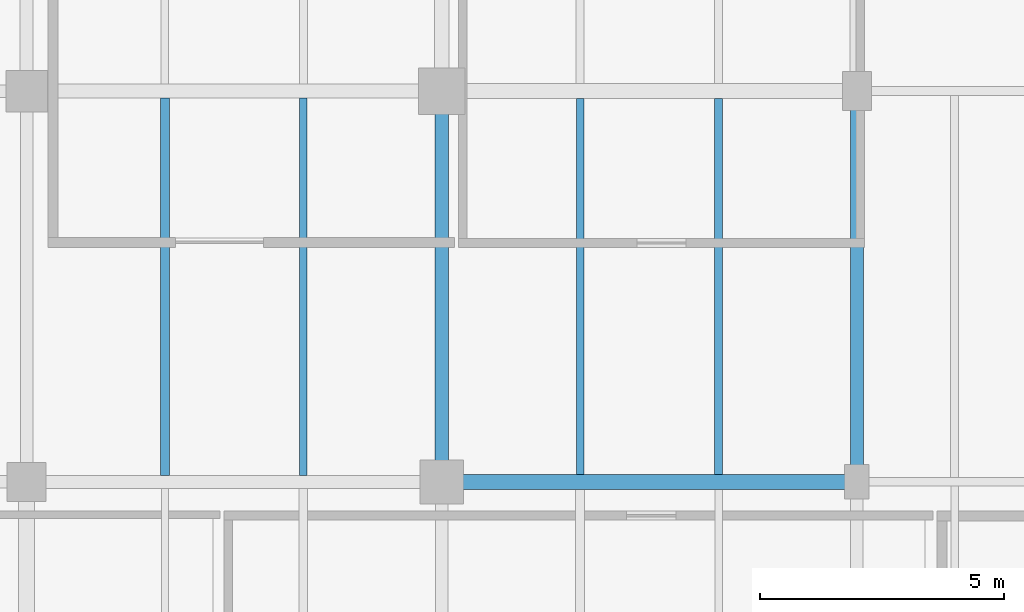
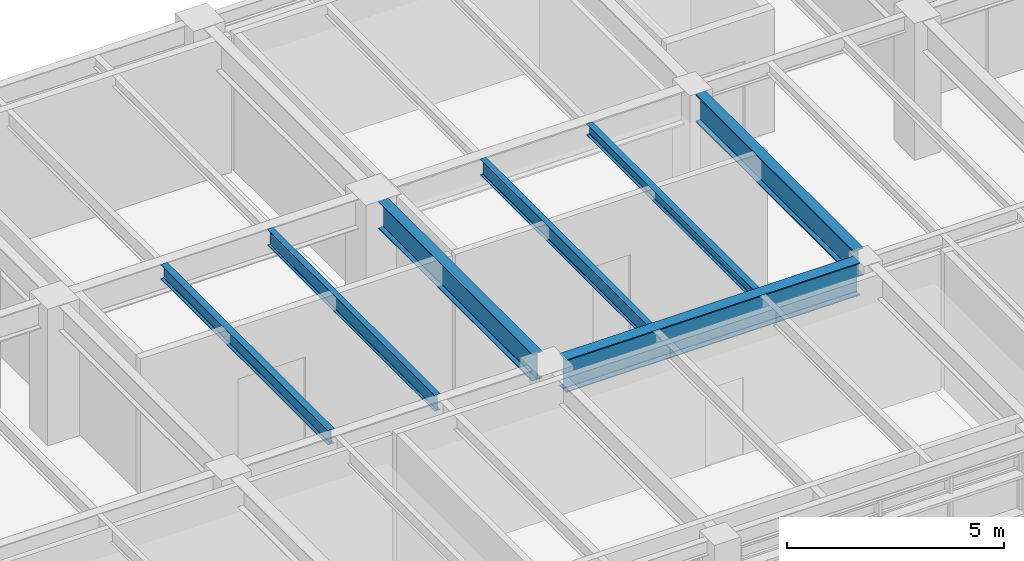
# One storey, part 12 of 26: 7 beams.
"""IFC4 building model written with IfcOpenShell, lengths in metres."""

from ifc_helpers import new_model, si_unit, direction, frame, origin, origin_2d, place, context, subcontext, project, spatial, i_section, extrude, material, material_profile, profile_set, type_object, element, save


model = new_model("IFC4")

# Units and contexts
model_context = context("Model", 3, precision=1e-05, world=origin(), true_north=direction((0.0, 1.0)))
body_context = subcontext(model_context, "Body", "Model", "MODEL_VIEW")
ifc_project = project(units=[si_unit("LENGTHUNIT", "METRE"), si_unit("AREAUNIT", "SQUARE_METRE"), si_unit("VOLUMEUNIT", "CUBIC_METRE"), si_unit("PLANEANGLEUNIT", "RADIAN"), si_unit("MASSUNIT", "GRAM", prefix="KILO"), si_unit("THERMODYNAMICTEMPERATUREUNIT", "KELVIN"), si_unit("POWERUNIT", "WATT")], contexts=[model_context])

# Site, building, storey
site_placement = place(None, origin())
site = spatial("IfcSite", under=ifc_project, at=site_placement, CompositionType="ELEMENT")
building_placement = place(site_placement, origin())
building = spatial("IfcBuilding", under=site, at=building_placement, Name="Tepalcoro Natatorium and Aquatics Centre", CompositionType="ELEMENT")
storey_placement = place(building_placement, frame((0.0, 0.0, 19.0)))
storey = spatial("IfcBuildingStorey", under=building, at=storey_placement, Name="L04", CompositionType="ELEMENT", Elevation=19.0)

# Beams
ifc_material = material(Name="Steel ASTM A992 Grade 50 (Fy 345 MPa)", Category="steel")
ifc_material_profile_1 = material_profile(ifc_material, i_section(OverallWidth=0.26708984375, OverallDepth=0.761962890625, WebThickness=0.013916015625, FlangeThickness=0.02197265625, FilletRadius=0.013916015625, at=origin_2d()), Name="W30X116")
ifc_profile_set_1 = profile_set([ifc_material_profile_1], Name="Steel ASTM A992 Grade 50 (Fy 345 MPa)")
beam_type_1 = type_object("IfcBeamType", Name="BM_W30x116", PredefinedType="BEAM", material=ifc_profile_set_1)
beam_1_placement = place(storey_placement, frame((150.5, 102.43505859375, 3.4541015625), z_axis=(0.0, 1.0, 0.0), x_axis=(-1.0, 0.0, 0.0)))
element("IfcBeam", 1, at=beam_1_placement, inside=storey, type_object=beam_type_1, Name="V5 L04 Grid Girder Y", PredefinedType="BEAM", context=body_context, shape_type="SweptSolid", body=[
    extrude(i_section(OverallWidth=0.26708984375, OverallDepth=0.761962890625, WebThickness=0.013916015625, FlangeThickness=0.02197265625, FilletRadius=0.013916015625, at=origin_2d()), origin(), (0.0, 0.0, 1.0), 7.10498046875),
])
ifc_material_profile_2 = material_profile(ifc_material, i_section(OverallWidth=0.26708984375, OverallDepth=0.780029296875, WebThickness=0.01708984375, FlangeThickness=0.030029296875, FilletRadius=0.013916015625, at=origin_2d()), Name="W30X148")
ifc_profile_set_2 = profile_set([ifc_material_profile_2], Name="Steel ASTM A992 Grade 50 (Fy 345 MPa)")
beam_type_2 = type_object("IfcBeamType", Name="BM_W30x148", PredefinedType="BEAM", material=ifc_profile_set_2)
beam_2_placement = place(storey_placement, frame((159.0, 102.3349609375, 3.445068359375), z_axis=(0.0, 1.0, 0.0), x_axis=(-1.0, 0.0, 0.0)))
element("IfcBeam", 2, at=beam_2_placement, inside=storey, type_object=beam_type_2, Name="V5 L04 Grid Girder Y", PredefinedType="BEAM", context=body_context, shape_type="SweptSolid", body=[
    extrude(i_section(OverallWidth=0.26708984375, OverallDepth=0.780029296875, WebThickness=0.01708984375, FlangeThickness=0.030029296875, FilletRadius=0.013916015625, at=origin_2d()), origin(), (0.0, 0.0, 1.0), 7.280029296875),
])
ifc_material_profile_3 = material_profile(ifc_material, i_section(OverallWidth=0.304931640625, OverallDepth=0.9189453125, WebThickness=0.01708984375, FlangeThickness=0.028076171875, FilletRadius=0.013916015625, at=origin_2d()), Name="W36X170")
ifc_profile_set_3 = profile_set([ifc_material_profile_3], Name="Steel ASTM A992 Grade 50 (Fy 345 MPa)")
beam_type_3 = type_object("IfcBeamType", Name="BM_W36x170", PredefinedType="BEAM", material=ifc_profile_set_3)
beam_3_placement = place(storey_placement, frame((150.93505859375, 102.0, 3.37548828125), z_axis=(1.0, 0.0, 0.0), x_axis=(0.0, 1.0, 0.0)))
element("IfcBeam", 3, at=beam_3_placement, inside=storey, type_object=beam_type_3, Name="V5 L04 Grid Girder X", PredefinedType="BEAM", context=body_context, shape_type="SweptSolid", body=[
    extrude(i_section(OverallWidth=0.304931640625, OverallDepth=0.9189453125, WebThickness=0.01708984375, FlangeThickness=0.028076171875, FilletRadius=0.013916015625, at=origin_2d()), origin(), (0.0, 0.0, 1.0), 7.829833984375),
])
ifc_material_profile_4 = material_profile(ifc_material, i_section(OverallWidth=0.1650390625, OverallDepth=0.31005859375, WebThickness=0.006103515625, FlangeThickness=0.010009765625, FilletRadius=0.013916015625, at=origin_2d()), Name="W12X26")
ifc_profile_set_4 = profile_set([ifc_material_profile_4], Name="Steel ASTM A992 Grade 50 (Fy 345 MPa)")
beam_type_4 = type_object("IfcBeamType", Name="JS_W12x26", PredefinedType="JOIST", material=ifc_profile_set_4)
beam_4_placement = place(storey_placement, frame((156.166748046875, 102.152587890625, 3.679931640625), z_axis=(0.0, 1.0, 0.0), x_axis=(-1.0, 0.0, 0.0)))
element("IfcBeam", 4, at=beam_4_placement, inside=storey, type_object=beam_type_4, Name="V5 L04 Floor Joist", PredefinedType="JOIST", context=body_context, shape_type="SweptSolid", body=[
    extrude(i_section(OverallWidth=0.1650390625, OverallDepth=0.31005859375, WebThickness=0.006103515625, FlangeThickness=0.010009765625, FilletRadius=0.013916015625, at=origin_2d()), origin(), (0.0, 0.0, 1.0), 7.6923828125),
])
ifc_material_profile_5 = material_profile(ifc_material, i_section(OverallWidth=0.178955078125, OverallDepth=0.409912109375, WebThickness=0.009033203125, FlangeThickness=0.013916015625, FilletRadius=0.013916015625, at=origin_2d()), Name="W16X45")
ifc_profile_set_5 = profile_set([ifc_material_profile_5], Name="Steel ASTM A992 Grade 50 (Fy 345 MPa)")
beam_type_5 = type_object("IfcBeamType", Name="JS_W16x45", PredefinedType="JOIST", material=ifc_profile_set_5)
beam_5_placement = place(storey_placement, frame((144.833251953125, 102.133544921875, 3.6298828125), z_axis=(0.0, 1.0, 0.0), x_axis=(-1.0, 0.0, 0.0)))
element("IfcBeam", 5, at=beam_5_placement, inside=storey, type_object=beam_type_5, Name="V5 L04 Floor Joist", PredefinedType="JOIST", context=body_context, shape_type="SweptSolid", body=[
    extrude(i_section(OverallWidth=0.178955078125, OverallDepth=0.409912109375, WebThickness=0.009033203125, FlangeThickness=0.013916015625, FilletRadius=0.013916015625, at=origin_2d()), origin(), (0.0, 0.0, 1.0), 7.720458984375),
])
ifc_material_profile_6 = material_profile(ifc_material, i_section(OverallWidth=0.153076171875, OverallDepth=0.455078125, WebThickness=0.008056640625, FlangeThickness=0.012939453125, FilletRadius=0.013916015625, at=origin_2d()), Name="W18X40")
ifc_profile_set_6 = profile_set([ifc_material_profile_6], Name="Steel ASTM A992 Grade 50 (Fy 345 MPa)")
beam_type_6 = type_object("IfcBeamType", Name="JS_W18x40", PredefinedType="JOIST", material=ifc_profile_set_6)
beam_6_placement = place(storey_placement, frame((147.666748046875, 102.133544921875, 3.607421875), z_axis=(0.0, 1.0, 0.0), x_axis=(-1.0, 0.0, 0.0)))
element("IfcBeam", 6, at=beam_6_placement, inside=storey, type_object=beam_type_6, Name="V5 L04 Floor Joist", PredefinedType="JOIST", context=body_context, shape_type="SweptSolid", body=[
    extrude(i_section(OverallWidth=0.153076171875, OverallDepth=0.455078125, WebThickness=0.008056640625, FlangeThickness=0.012939453125, FilletRadius=0.013916015625, at=origin_2d()), origin(), (0.0, 0.0, 1.0), 7.720458984375),
])
beam_7_placement = place(storey_placement, frame((153.333251953125, 102.152587890625, 3.607421875), z_axis=(0.0, 1.0, 0.0), x_axis=(-1.0, 0.0, 0.0)))
element("IfcBeam", 7, at=beam_7_placement, inside=storey, type_object=beam_type_6, Name="V5 L04 Floor Joist", PredefinedType="JOIST", context=body_context, shape_type="SweptSolid", body=[
    extrude(i_section(OverallWidth=0.153076171875, OverallDepth=0.455078125, WebThickness=0.008056640625, FlangeThickness=0.012939453125, FilletRadius=0.013916015625, at=origin_2d()), origin(), (0.0, 0.0, 1.0), 7.6923828125),
])

save(model, "model.ifc")
